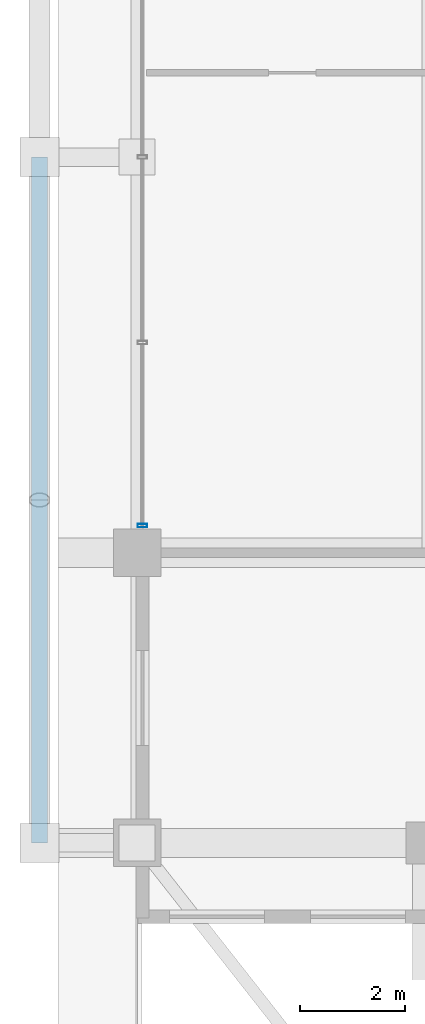
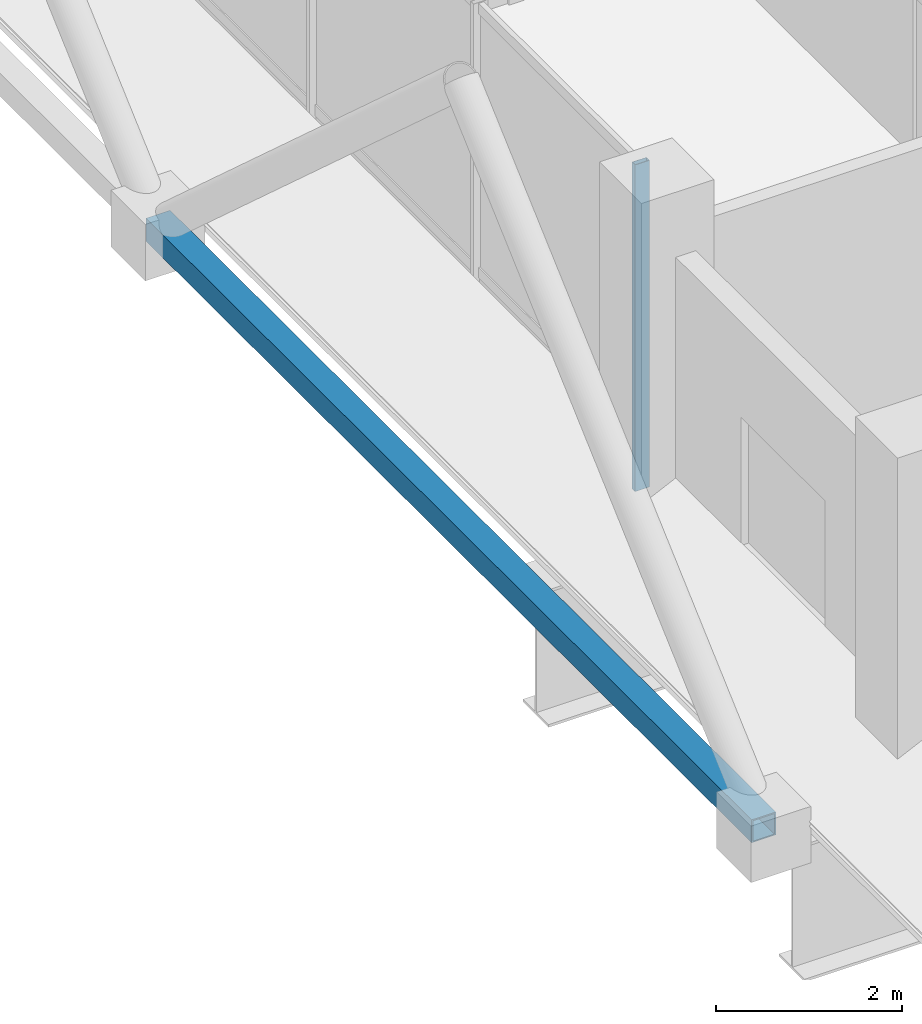
# One storey, part 4 of 27: 2 members, 1 element without a shape of its own.
"""IFC4 building model written with IfcOpenShell, lengths in metres."""

from ifc_helpers import new_model, si_unit, direction, frame, origin, origin_2d, place, context, subcontext, project, spatial, hollow_rectangle, extrude, material, layer, layer_set, material_profile, profile_set, type_object, element, aggregate, save


model = new_model("IFC4")

# Units and contexts
model_context = context("Model", 3, precision=1e-05, world=origin(), true_north=direction((0.0, 1.0)))
body_context = subcontext(model_context, "Body", "Model", "MODEL_VIEW")
ifc_project = project(units=[si_unit("LENGTHUNIT", "METRE"), si_unit("AREAUNIT", "SQUARE_METRE"), si_unit("VOLUMEUNIT", "CUBIC_METRE"), si_unit("PLANEANGLEUNIT", "RADIAN"), si_unit("MASSUNIT", "GRAM", prefix="KILO")], contexts=[model_context])

# Site, building, storey
site_placement = place(None, origin())
site = spatial("IfcSite", under=ifc_project, at=site_placement, CompositionType="ELEMENT")
building_placement = place(site_placement, origin())
building = spatial("IfcBuilding", under=site, at=building_placement, Name="Barlavira Tower and Art Museum", CompositionType="ELEMENT")
storey_placement = place(building_placement, frame((0.0, 0.0, 217.800048828125)))
storey = spatial("IfcBuildingStorey", under=building, at=storey_placement, Name="L56", CompositionType="ELEMENT", Elevation=217.800048828125)

# Curtain wall, member
ifc_material_1 = material(Name="Low-iron coastal laminated glass", Category="glass")
ifc_layer = layer(ifc_material_1, 0.2099609375, Name="Low-iron coastal laminated glass")
ifc_layer_set = layer_set([ifc_layer], Name="Low-iron coastal laminated glass")
curtain_wall_type = type_object("IfcCurtainWallType", Name="Pale-Metal Unitised Curtain Wall Zone 4", PredefinedType="NOTDEFINED", material=ifc_layer_set)
curtain_wall_placement = place(storey_placement, origin())
curtain_wall = element("IfcCurtainWall", 1, at=curtain_wall_placement, inside=storey, type_object=curtain_wall_type, Name="L56 Curtain Wall CW4-L56-W-B3", PredefinedType="NOTDEFINED")
ifc_material_2 = material(Name="Pale anodised aluminium", Category="aluminium")
ifc_material_profile_1 = material_profile(ifc_material_2, hollow_rectangle(XDim=0.06494140625, YDim=0.179931640625, WallThickness=0.00390625, at=origin_2d()), Name="ALU-MULL 65x180x4")
ifc_profile_set_1 = profile_set([ifc_material_profile_1], Name="Pale anodised aluminium")
member_type_1 = type_object("IfcMemberType", Name="Curtain Wall Pale-Metal Mullion 65x180", PredefinedType="MULLION", material=ifc_profile_set_1)
member_1_placement = place(storey_placement, frame((-16.89990234375, -6.985107421875, 0.0), z_axis=(0.0, 0.0, 1.0), x_axis=(0.0, -1.0, 0.0)))
member_1 = element("IfcMember", 2, at=member_1_placement, type_object=member_type_1, Name="CW4-L56-W-B3 Mullion 4", PredefinedType="MULLION", context=body_context, shape_type="SweptSolid", body=[
    extrude(hollow_rectangle(XDim=0.06494140625, YDim=0.179931640625, WallThickness=0.00390625, at=origin_2d()), origin(), (0.0, 0.0, 1.0), 4.280029296875),
])
aggregate(curtain_wall, [member_1])

# Member
ifc_material_3 = material(Name="Steel S355", Category="steel")
ifc_material_profile_2 = material_profile(ifc_material_3, hollow_rectangle(XDim=0.300048828125, YDim=0.300048828125, WallThickness=0.01611328125, at=origin_2d()), Name="SHS 300x300x16.0")
ifc_profile_set_2 = profile_set([ifc_material_profile_2], Name="Steel S355")
member_type_2 = type_object("IfcMemberType", Name="Pale-Metal Upper Ring Strut SHS 300x300x16 Steel S355", PredefinedType="STRUT", material=ifc_profile_set_2)
member_2_placement = place(storey_placement, frame((-18.85009765625, -13.0, -0.1201171875), z_axis=(0.0, 1.0, 0.0), x_axis=(-1.0, 0.0, 0.0)))
element("IfcMember", 3, at=member_2_placement, inside=storey, type_object=member_type_2, Name="L56 Exoskeleton Ring Strut W", PredefinedType="STRUT", context=body_context, shape_type="SweptSolid", body=[
    extrude(hollow_rectangle(XDim=0.300048828125, YDim=0.300048828125, WallThickness=0.01611328125, at=origin_2d()), origin(), (0.0, 0.0, 1.0), 13.0),
])

save(model, "model.ifc")
